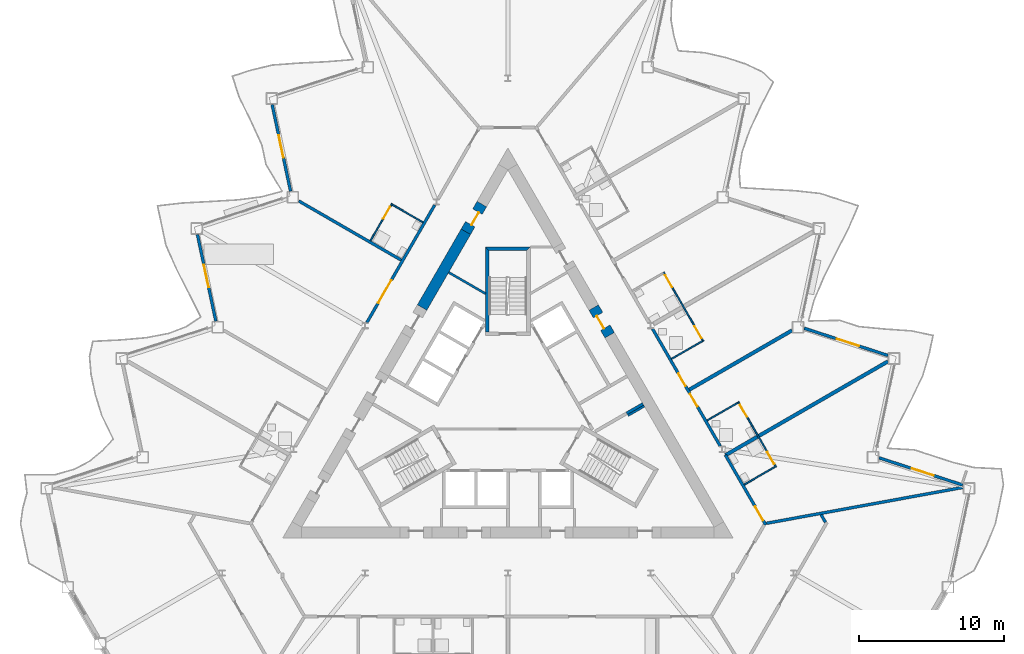
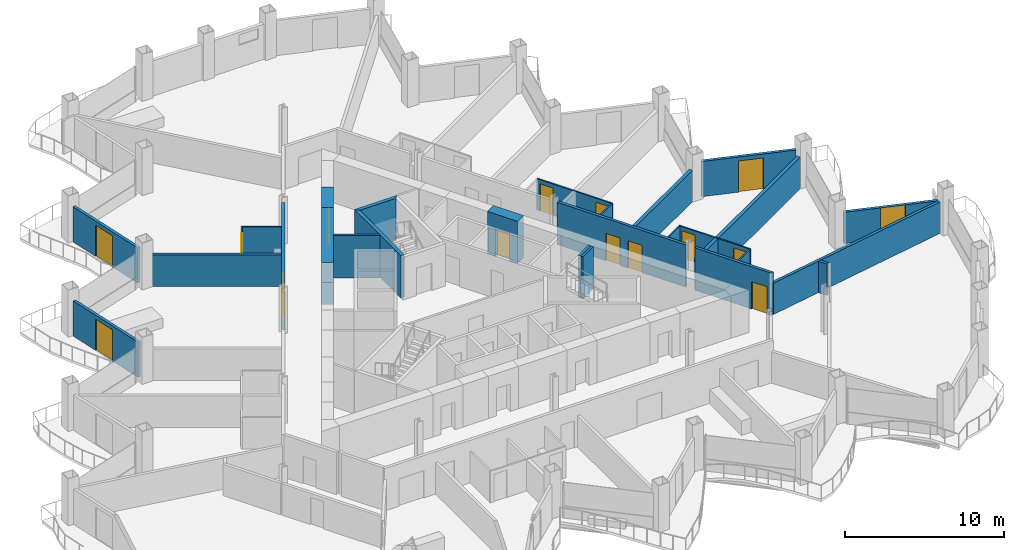
# One storey, part 14 of 24: 27 walls, 15 doors, 15 openings.
"""IFC4 building model written with IfcOpenShell, lengths in metres."""

from ifc_helpers import new_model, si_unit, direction, frame, frame_2d, origin, place, context, subcontext, project, spatial, polyline, rectangle, outline, extrude, material, layer, layer_set, type_object, element, fill, save


model = new_model("IFC4")

# Units and contexts
model_context = context("Model", 3, precision=1e-05, world=origin(), true_north=direction((0.0, 1.0)))
body_context = subcontext(model_context, "Body", "Model", "MODEL_VIEW")
ifc_project = project(units=[si_unit("LENGTHUNIT", "METRE"), si_unit("AREAUNIT", "SQUARE_METRE"), si_unit("VOLUMEUNIT", "CUBIC_METRE"), si_unit("PLANEANGLEUNIT", "RADIAN"), si_unit("MASSUNIT", "GRAM", prefix="KILO")], contexts=[model_context])

# Site, building, storey
site_placement = place(None, origin())
site = spatial("IfcSite", under=ifc_project, at=site_placement, CompositionType="ELEMENT")
building_placement = place(site_placement, origin())
building = spatial("IfcBuilding", under=site, at=building_placement, Name="Cormorant Prow Tower", CompositionType="ELEMENT")
storey_placement = place(building_placement, frame((0.0, 0.0, 205.199951171875)))
storey = spatial("IfcBuildingStorey", under=building, at=storey_placement, Name="L45", CompositionType="ELEMENT", Elevation=205.199951171875)

# Walls
ifc_material_1 = material(Name="Gypsum board partition")
ifc_layer_1 = layer(ifc_material_1, 0.14990234375)
ifc_layer_set_1 = layer_set([ifc_layer_1], Name="Gypsum board partition")
wall_type_1 = type_object("IfcWallType", Name="Core partition 150", PredefinedType="PARTITIONING", material=ifc_layer_set_1)
wall_1_placement = place(storey_placement, frame((8.268310546875, -0.509033203125, 0.0), z_axis=(0.0, 0.0, 1.0), x_axis=(0.866003189247, 0.500038474733, 0.0)))
element("IfcWall", 1, at=wall_1_placement, inside=storey, type_object=wall_type_1, Name="Service room partition", PredefinedType="PARTITIONING", context=body_context, shape_type="SweptSolid", body=[
    extrude(rectangle(XDim=1.29296875, YDim=0.14990234375, at=frame_2d((0.646484375, 0.0))), origin(), (0.0, 0.0, 1.0), 3.25),
])
wall_2_placement = place(storey_placement, frame((-4.0751953125, 9.33935546875, 0.0), z_axis=(0.0, 0.0, 1.0), x_axis=(0.865995658863, -0.500051516177, 0.0)))
element("IfcWall", 2, at=wall_2_placement, inside=storey, type_object=wall_type_1, Name="Service room partition", PredefinedType="PARTITIONING", context=body_context, shape_type="SweptSolid", body=[
    extrude(rectangle(XDim=2.932861328125, YDim=0.14990234375, at=frame_2d((1.46630859375, 0.0))), origin(), (0.0, 0.0, 1.0), 3.25),
])
ifc_material_2 = material(Name="Concrete 8000 psi", Category="concrete")
ifc_layer_2 = layer(ifc_material_2, 0.75)
ifc_layer_set_2 = layer_set([ifc_layer_2], Name="Concrete 8000 psi")
wall_type_2 = type_object("IfcWallType", Name="Core shear wall 750", PredefinedType="SHEAR", material=ifc_layer_set_2)
wall_3_placement = place(storey_placement, frame((-2.8935546875, 12.135986328125, 0.0), z_axis=(0.0, 0.0, 1.0), x_axis=(-0.500021737671, -0.866012853171, 0.0)))
element("IfcWall", 3, at=wall_3_placement, inside=storey, type_object=wall_type_2, Name="Core wall", PredefinedType="SHEAR", context=body_context, shape_type="SweptSolid", body=[
    extrude(rectangle(XDim=6.025634765625, YDim=0.75, at=frame_2d((3.0126953125, 0.0))), origin(), (0.0, 0.0, 1.0), 3.25),
])

# Wall, opening, door
wall_4_placement = place(storey_placement, frame((7.00634765625, 5.012451171875, 0.0), z_axis=(0.0, 0.0, 1.0), x_axis=(-0.499946605688, 0.86605622881, 0.0)))
wall_4 = element("IfcWall", 4, at=wall_4_placement, inside=storey, type_object=wall_type_2, Name="Core wall door panel", PredefinedType="SHEAR", context=body_context, shape_type="SweptSolid", body=[
    extrude(rectangle(XDim=2.199951171875, YDim=0.75, at=frame_2d((1.10009765625, 0.0))), origin(), (0.0, 0.0, 1.0), 3.25),
])
opening_1_placement = place(wall_4_placement, frame((0.60009765625, 0.0, 0.0)))
opening_1 = element("IfcOpeningElement", 5, at=opening_1_placement, cuts=wall_4, Name="Opening L45-C19", PredefinedType="OPENING", context=body_context, shape_type="SweptSolid", body=[
    extrude(rectangle(XDim=1.0, YDim=2.10009765625, at=frame_2d((0.5, 1.050048828125))), frame((0.0, 0.385009765625, 0.0), z_axis=(0.0, -1.0, 0.0), x_axis=(1.0, 0.0, 0.0)), (0.0, 0.0, 1.0), 0.77001953125),
])
ifc_material_3 = material(Name="Painted steel", Category="steel")
door_type_1 = type_object("IfcDoorType", Name="Service door 1000x2100", OperationType="NOTDEFINED", PredefinedType="DOOR", material=ifc_material_3)
door_1_placement = place(opening_1_placement, origin())
door_1 = element("IfcDoor", 6, at=door_1_placement, inside=storey, type_object=door_type_1, Name="Core door, Telecom room", OperationType="SINGLE_SWING_LEFT", OverallHeight=2.10009765625, OverallWidth=1.0, PredefinedType="DOOR", context=body_context, shape_type="SweptSolid", body=[
    extrude(rectangle(XDim=1.0, YDim=2.10009765625, at=frame_2d((0.5, 1.050048828125))), frame((0.0, 0.1298828125, 0.0), z_axis=(0.0, -1.0, 0.0), x_axis=(1.0, 0.0, 0.0)), (0.0, 0.0, 1.0), 0.050048828125),
])
fill(opening_1, door_1)

wall_5_placement = place(storey_placement, frame((-1.793701171875, 14.041259765625, 0.0), z_axis=(0.0, 0.0, 1.0), x_axis=(-0.499946605688, -0.86605622881, 0.0)))
wall_5 = element("IfcWall", 7, at=wall_5_placement, inside=storey, type_object=wall_type_2, Name="Core wall door panel", PredefinedType="SHEAR", context=body_context, shape_type="SweptSolid", body=[
    extrude(rectangle(XDim=2.199951171875, YDim=0.75, at=frame_2d((1.10009765625, 0.0))), origin(), (0.0, 0.0, 1.0), 3.25),
])
opening_2_placement = place(wall_5_placement, frame((0.60009765625, 0.0, 0.0)))
opening_2 = element("IfcOpeningElement", 8, at=opening_2_placement, cuts=wall_5, Name="Opening L45-C20", PredefinedType="OPENING", context=body_context, shape_type="SweptSolid", body=[
    extrude(rectangle(XDim=1.0, YDim=2.10009765625, at=frame_2d((0.5, 1.050048828125))), frame((0.0, 0.385009765625, 0.0), z_axis=(0.0, -1.0, 0.0), x_axis=(1.0, 0.0, 0.0)), (0.0, 0.0, 1.0), 0.77001953125),
])
door_2_placement = place(opening_2_placement, origin())
door_2 = element("IfcDoor", 9, at=door_2_placement, inside=storey, type_object=door_type_1, Name="Core door, Mechanical riser room", OperationType="SINGLE_SWING_RIGHT", OverallHeight=2.10009765625, OverallWidth=1.0, PredefinedType="DOOR", context=body_context, shape_type="SweptSolid", body=[
    extrude(rectangle(XDim=1.0, YDim=2.10009765625, at=frame_2d((0.5, 1.050048828125))), frame((0.0, 0.1298828125, 0.0), z_axis=(0.0, -1.0, 0.0), x_axis=(1.0, 0.0, 0.0)), (0.0, 0.0, 1.0), 0.050048828125),
])
fill(opening_2, door_2)

ifc_material_4 = material(Name="Gypsum board corridor wall")
ifc_layer_3 = layer(ifc_material_4, 0.199951171875)
ifc_layer_set_3 = layer_set([ifc_layer_3], Name="Gypsum board corridor wall")
wall_type_3 = type_object("IfcWallType", Name="Corridor wall 200", PredefinedType="PARTITIONING", material=ifc_layer_set_3)
wall_6_placement = place(storey_placement, frame((-9.705078125, 5.88818359375, 0.0), z_axis=(0.0, 0.0, 1.0), x_axis=(0.50000393355, 0.866023132736, 0.0)))
wall_6 = element("IfcWall", 10, at=wall_6_placement, inside=storey, type_object=wall_type_3, Name="Corridor wall", PredefinedType="PARTITIONING", context=body_context, shape_type="SweptSolid", body=[
    extrude(rectangle(XDim=9.3349609375, YDim=0.199951171875, at=frame_2d((4.66748046875, 0.0))), origin(), (0.0, 0.0, 1.0), 3.25),
])
opening_3_placement = place(wall_6_placement, frame((1.556396484375, 0.0, 0.0)))
opening_3 = element("IfcOpeningElement", 11, at=opening_3_placement, cuts=wall_6, Name="Opening L45-F25", PredefinedType="OPENING", context=body_context, shape_type="SweptSolid", body=[
    extrude(rectangle(XDim=1.800048828125, YDim=2.10009765625, at=frame_2d((0.89990234375, 1.050048828125))), frame((0.0, 0.10986328125, 0.0), z_axis=(0.0, -1.0, 0.0), x_axis=(1.0, 0.0, 0.0)), (0.0, 0.0, 1.0), 0.219970703125),
])
ifc_material_5 = material(Name="Timber door leaf", Category="wood")
door_type_2 = type_object("IfcDoorType", Name="Double door 1800x2100", OperationType="DOUBLE_DOOR_SINGLE_SWING", PredefinedType="DOOR", material=ifc_material_5)
door_3_placement = place(opening_3_placement, origin())
door_3 = element("IfcDoor", 12, at=door_3_placement, inside=storey, type_object=door_type_2, Name="Library door", OperationType="DOUBLE_DOOR_SINGLE_SWING", OverallHeight=2.10009765625, OverallWidth=1.800048828125, PredefinedType="DOOR", context=body_context, shape_type="SweptSolid", body=[
    extrude(rectangle(XDim=1.800048828125, YDim=2.10009765625, at=frame_2d((0.89990234375, 1.050048828125))), frame((0.0, 0.02490234375, 0.0), z_axis=(0.0, -1.0, 0.0), x_axis=(1.0, 0.0, 0.0)), (0.0, 0.0, 1.0), 0.050048828125),
])
fill(opening_3, door_3)

# Wall, openings, doors
wall_7_placement = place(storey_placement, frame((9.951904296875, 5.460693359375, 0.0), z_axis=(0.0, 0.0, 1.0), x_axis=(0.50000393355, -0.866023132736, 0.0)))
wall_7 = element("IfcWall", 13, at=wall_7_placement, inside=storey, type_object=wall_type_3, Name="Corridor wall", PredefinedType="PARTITIONING", context=body_context, shape_type="SweptSolid", body=[
    extrude(rectangle(XDim=9.3349609375, YDim=0.199951171875, at=frame_2d((4.66748046875, 0.0))), origin(), (0.0, 0.0, 1.0), 3.25),
])
opening_4_placement = place(wall_7_placement, frame((5.171875, 0.0, 0.0)))
opening_4 = element("IfcOpeningElement", 14, at=opening_4_placement, cuts=wall_7, Name="Opening L45-F12", PredefinedType="OPENING", context=body_context, shape_type="SweptSolid", body=[
    extrude(rectangle(XDim=1.0, YDim=2.10009765625, at=frame_2d((0.5, 1.050048828125))), frame((0.0, 0.10986328125, 0.0), z_axis=(0.0, -1.0, 0.0), x_axis=(1.0, 0.0, 0.0)), (0.0, 0.0, 1.0), 0.219970703125),
])
opening_5_placement = place(wall_7_placement, frame((3.564697265625, 0.0, 0.0)))
opening_5 = element("IfcOpeningElement", 15, at=opening_5_placement, cuts=wall_7, Name="Opening L45-F14", PredefinedType="OPENING", context=body_context, shape_type="SweptSolid", body=[
    extrude(rectangle(XDim=1.0, YDim=2.10009765625, at=frame_2d((0.5, 1.050048828125))), frame((0.0, 0.10986328125, 0.0), z_axis=(0.0, -1.0, 0.0), x_axis=(1.0, 0.0, 0.0)), (0.0, 0.0, 1.0), 0.219970703125),
])
ifc_material_6 = material(Name="Timber door leaf", Category="wood")
door_type_3 = type_object("IfcDoorType", Name="Flat or room entrance door 1000x2100", OperationType="NOTDEFINED", PredefinedType="DOOR", material=ifc_material_6)
door_4_placement = place(opening_4_placement, origin())
door_4 = element("IfcDoor", 16, at=door_4_placement, inside=storey, type_object=door_type_3, Name="Guest room door", OperationType="SINGLE_SWING_LEFT", OverallHeight=2.10009765625, OverallWidth=1.0, PredefinedType="DOOR", context=body_context, shape_type="SweptSolid", body=[
    extrude(rectangle(XDim=1.0, YDim=2.10009765625, at=frame_2d((0.5, 1.050048828125))), frame((0.0, 0.02490234375, 0.0), z_axis=(0.0, -1.0, 0.0), x_axis=(1.0, 0.0, 0.0)), (0.0, 0.0, 1.0), 0.050048828125),
])
fill(opening_4, door_4)
door_5_placement = place(opening_5_placement, origin())
door_5 = element("IfcDoor", 17, at=door_5_placement, inside=storey, type_object=door_type_3, Name="Guest room door", OperationType="SINGLE_SWING_RIGHT", OverallHeight=2.10009765625, OverallWidth=1.0, PredefinedType="DOOR", context=body_context, shape_type="SweptSolid", body=[
    extrude(rectangle(XDim=1.0, YDim=2.10009765625, at=frame_2d((0.5, 1.050048828125))), frame((0.0, 0.02490234375, 0.0), z_axis=(0.0, -1.0, 0.0), x_axis=(1.0, 0.0, 0.0)), (0.0, 0.0, 1.0), 0.050048828125),
])
fill(opening_5, door_5)

# Wall, opening, door
wall_8_placement = place(storey_placement, frame((14.971435546875, -3.2333984375, 0.0), z_axis=(0.0, 0.0, 1.0), x_axis=(0.500003221507, -0.866023543838, 0.0)))
wall_8 = element("IfcWall", 18, at=wall_8_placement, inside=storey, type_object=wall_type_3, Name="Corridor wall", PredefinedType="PARTITIONING", context=body_context, shape_type="SweptSolid", body=[
    extrude(rectangle(XDim=5.544921875, YDim=0.199951171875, at=frame_2d((2.7724609375, 0.0))), origin(), (0.0, 0.0, 1.0), 3.25),
])
opening_6_placement = place(wall_8_placement, frame((4.09375, 0.0, 0.0)))
opening_6 = element("IfcOpeningElement", 19, at=opening_6_placement, cuts=wall_8, Name="Opening L45-F10", PredefinedType="OPENING", context=body_context, shape_type="SweptSolid", body=[
    extrude(rectangle(XDim=1.10009765625, YDim=2.10009765625, at=frame_2d((0.550048828125, 1.050048828125))), frame((0.0, 0.10986328125, 0.0), z_axis=(0.0, -1.0, 0.0), x_axis=(1.0, 0.0, 0.0)), (0.0, 0.0, 1.0), 0.219970703125),
])
ifc_material_7 = material(Name="Timber door leaf", Category="wood")
door_type_4 = type_object("IfcDoorType", Name="Suite entrance door 1100x2100", OperationType="NOTDEFINED", PredefinedType="DOOR", material=ifc_material_7)
door_6_placement = place(opening_6_placement, origin())
door_6 = element("IfcDoor", 20, at=door_6_placement, inside=storey, type_object=door_type_4, Name="Junior suite door", OperationType="SINGLE_SWING_RIGHT", OverallHeight=2.10009765625, OverallWidth=1.10009765625, PredefinedType="DOOR", context=body_context, shape_type="SweptSolid", body=[
    extrude(rectangle(XDim=1.10009765625, YDim=2.10009765625, at=frame_2d((0.550048828125, 1.050048828125))), frame((0.0, 0.02490234375, 0.0), z_axis=(0.0, -1.0, 0.0), x_axis=(1.0, 0.0, 0.0)), (0.0, 0.0, 1.0), 0.050048828125),
])
fill(opening_6, door_6)

# Walls
ifc_material_8 = material(Name="Gypsum board demising wall")
ifc_layer_4 = layer(ifc_material_8, 0.199951171875)
ifc_layer_set_4 = layer_set([ifc_layer_4], Name="Gypsum board demising wall")
wall_type_4 = type_object("IfcWallType", Name="Demising wall 200", PredefinedType="PARTITIONING", material=ifc_layer_set_4)
wall_9_placement = place(storey_placement, frame((17.792236328125, -7.930908203125, 0.0), z_axis=(0.0, 0.0, 1.0), x_axis=(0.983720538919, 0.179705039744, 0.0)))
element("IfcWall", 21, at=wall_9_placement, inside=storey, type_object=wall_type_4, Name="Demising wall", PredefinedType="PARTITIONING", context=body_context, shape_type="SweptSolid", body=[
    extrude(rectangle(XDim=13.760986328125, YDim=0.199951171875, at=frame_2d((6.88037109375, 0.0))), origin(), (0.0, 0.0, 1.0), 2.404296875),
])
wall_10_placement = place(storey_placement, frame((-14.389892578125, 14.25244140625, 0.0), z_axis=(0.0, 0.0, 1.0), x_axis=(0.866028741424, -0.499994218994, 0.0)))
element("IfcWall", 22, at=wall_10_placement, inside=storey, type_object=wall_type_4, Name="Demising wall", PredefinedType="PARTITIONING", context=body_context, shape_type="SweptSolid", body=[
    extrude(rectangle(XDim=8.13916015625, YDim=0.199951171875, at=frame_2d((4.069580078125, 0.0))), origin(), (0.0, 0.0, 1.0), 2.404296875),
])
wall_11_placement = place(storey_placement, frame((21.556396484375, -7.339111328125, 0.0), z_axis=(0.0, 0.0, 1.0), x_axis=(0.50022374246, -0.865896187473, 0.0)))
element("IfcWall", 23, at=wall_11_placement, inside=storey, type_object=wall_type_4, Name="Demising wall", PredefinedType="PARTITIONING", context=body_context, shape_type="SweptSolid", body=[
    extrude(rectangle(XDim=0.604248046875, YDim=0.199951171875, at=frame_2d((0.30224609375, 0.0))), origin(), (0.0, 0.0, 1.0), 2.404296875),
])

# Wall, openings, doors
ifc_material_9 = material(Name="Gypsum board partition")
ifc_layer_5 = layer(ifc_material_9, 0.10009765625)
ifc_layer_set_5 = layer_set([ifc_layer_5], Name="Gypsum board partition")
wall_type_5 = type_object("IfcWallType", Name="Internal partition 100", PredefinedType="PARTITIONING", material=ifc_layer_set_5)
wall_12_placement = place(storey_placement, frame((10.705078125, 9.35595703125, 0.0), z_axis=(0.0, 0.0, 1.0), x_axis=(0.500015767406, -0.866016300277, 0.0)))
wall_12 = element("IfcWall", 24, at=wall_12_placement, inside=storey, type_object=wall_type_5, Name="Internal partition", PredefinedType="PARTITIONING", context=body_context, shape_type="SweptSolid", body=[
    extrude(rectangle(XDim=5.499755859375, YDim=0.10009765625, at=frame_2d((2.75, 0.0))), origin(), (0.0, 0.0, 1.0), 2.404296875),
])
opening_7_placement = place(wall_12_placement, frame((4.300048828125, 0.0, 0.0)))
opening_7 = element("IfcOpeningElement", 25, at=opening_7_placement, cuts=wall_12, Name="Opening L45-F15", PredefinedType="OPENING", context=body_context, shape_type="SweptSolid", body=[
    extrude(rectangle(XDim=0.949951171875, YDim=2.10009765625, at=frame_2d((0.47509765625, 1.050048828125))), frame((0.0, 0.06005859375, 0.0), z_axis=(0.0, -1.0, 0.0), x_axis=(1.0, 0.0, 0.0)), (0.0, 0.0, 1.0), 0.1201171875),
])
opening_8_placement = place(wall_12_placement, frame((0.25, 0.0, 0.0)))
opening_8 = element("IfcOpeningElement", 26, at=opening_8_placement, cuts=wall_12, Name="Opening L45-F17", PredefinedType="OPENING", context=body_context, shape_type="SweptSolid", body=[
    extrude(rectangle(XDim=0.949951171875, YDim=2.10009765625, at=frame_2d((0.47509765625, 1.050048828125))), frame((0.0, 0.06005859375, 0.0), z_axis=(0.0, -1.0, 0.0), x_axis=(1.0, 0.0, 0.0)), (0.0, 0.0, 1.0), 0.1201171875),
])
ifc_material_10 = material(Name="Timber door leaf", Category="wood")
door_type_5 = type_object("IfcDoorType", Name="Bathroom door 950x2100", OperationType="NOTDEFINED", PredefinedType="DOOR", material=ifc_material_10)
door_7_placement = place(opening_7_placement, origin())
door_7 = element("IfcDoor", 27, at=door_7_placement, inside=storey, type_object=door_type_5, Name="Guest room door", OperationType="SINGLE_SWING_RIGHT", OverallHeight=2.10009765625, OverallWidth=0.949951171875, PredefinedType="DOOR", context=body_context, shape_type="SweptSolid", body=[
    extrude(rectangle(XDim=0.949951171875, YDim=2.10009765625, at=frame_2d((0.47509765625, 1.050048828125))), frame((0.0, 0.02490234375, 0.0), z_axis=(0.0, -1.0, 0.0), x_axis=(1.0, 0.0, 0.0)), (0.0, 0.0, 1.0), 0.050048828125),
])
fill(opening_7, door_7)
door_8_placement = place(opening_8_placement, origin())
door_8 = element("IfcDoor", 28, at=door_8_placement, inside=storey, type_object=door_type_5, Name="Guest room door", OperationType="SINGLE_SWING_LEFT", OverallHeight=2.10009765625, OverallWidth=0.949951171875, PredefinedType="DOOR", context=body_context, shape_type="SweptSolid", body=[
    extrude(rectangle(XDim=0.949951171875, YDim=2.10009765625, at=frame_2d((0.47509765625, 1.050048828125))), frame((0.0, 0.02490234375, 0.0), z_axis=(0.0, -1.0, 0.0), x_axis=(1.0, 0.0, 0.0)), (0.0, 0.0, 1.0), 0.050048828125),
])
fill(opening_8, door_8)

wall_13_placement = place(storey_placement, frame((15.853271484375, 0.439453125, 0.0), z_axis=(0.0, 0.0, 1.0), x_axis=(0.499971721724, -0.866041729639, 0.0)))
wall_13 = element("IfcWall", 29, at=wall_13_placement, inside=storey, type_object=wall_type_5, Name="Internal partition", PredefinedType="PARTITIONING", context=body_context, shape_type="SweptSolid", body=[
    extrude(rectangle(XDim=5.199951171875, YDim=0.10009765625, at=frame_2d((2.60009765625, 0.0))), origin(), (0.0, 0.0, 1.0), 2.404296875),
])
opening_9_placement = place(wall_13_placement, frame((4.0, 0.0, 0.0)))
opening_9 = element("IfcOpeningElement", 30, at=opening_9_placement, cuts=wall_13, Name="Opening L45-F11", PredefinedType="OPENING", context=body_context, shape_type="SweptSolid", body=[
    extrude(rectangle(XDim=0.949951171875, YDim=2.10009765625, at=frame_2d((0.47509765625, 1.050048828125))), frame((0.0, 0.06005859375, 0.0), z_axis=(0.0, -1.0, 0.0), x_axis=(1.0, 0.0, 0.0)), (0.0, 0.0, 1.0), 0.1201171875),
])
opening_10_placement = place(wall_13_placement, frame((0.25, 0.0, 0.0)))
opening_10 = element("IfcOpeningElement", 31, at=opening_10_placement, cuts=wall_13, Name="Opening L45-F13", PredefinedType="OPENING", context=body_context, shape_type="SweptSolid", body=[
    extrude(rectangle(XDim=0.949951171875, YDim=2.10009765625, at=frame_2d((0.47509765625, 1.050048828125))), frame((0.0, 0.06005859375, 0.0), z_axis=(0.0, -1.0, 0.0), x_axis=(1.0, 0.0, 0.0)), (0.0, 0.0, 1.0), 0.1201171875),
])
door_9_placement = place(opening_9_placement, origin())
door_9 = element("IfcDoor", 32, at=door_9_placement, inside=storey, type_object=door_type_5, Name="Junior suite door", OperationType="SINGLE_SWING_RIGHT", OverallHeight=2.10009765625, OverallWidth=0.949951171875, PredefinedType="DOOR", context=body_context, shape_type="SweptSolid", body=[
    extrude(rectangle(XDim=0.949951171875, YDim=2.10009765625, at=frame_2d((0.47509765625, 1.050048828125))), frame((0.0, 0.02490234375, 0.0), z_axis=(0.0, -1.0, 0.0), x_axis=(1.0, 0.0, 0.0)), (0.0, 0.0, 1.0), 0.050048828125),
])
fill(opening_9, door_9)
door_10_placement = place(opening_10_placement, origin())
door_10 = element("IfcDoor", 33, at=door_10_placement, inside=storey, type_object=door_type_5, Name="Guest room door", OperationType="SINGLE_SWING_LEFT", OverallHeight=2.10009765625, OverallWidth=0.949951171875, PredefinedType="DOOR", context=body_context, shape_type="SweptSolid", body=[
    extrude(rectangle(XDim=0.949951171875, YDim=2.10009765625, at=frame_2d((0.47509765625, 1.050048828125))), frame((0.0, 0.02490234375, 0.0), z_axis=(0.0, -1.0, 0.0), x_axis=(1.0, 0.0, 0.0)), (0.0, 0.0, 1.0), 0.050048828125),
])
fill(opening_10, door_10)

# Wall, opening, door
wall_14_placement = place(storey_placement, frame((-9.4560546875, 11.519287109375, 0.0), z_axis=(0.0, 0.0, 1.0), x_axis=(0.499939757307, 0.866060182126, 0.0)))
wall_14 = element("IfcWall", 34, at=wall_14_placement, inside=storey, type_object=wall_type_5, Name="Internal partition", PredefinedType="PARTITIONING", context=body_context, shape_type="SweptSolid", body=[
    extrude(rectangle(XDim=2.949951171875, YDim=0.10009765625, at=frame_2d((1.47509765625, 0.0))), origin(), (0.0, 0.0, 1.0), 2.404296875),
])
opening_11_placement = place(wall_14_placement, frame((1.75, 0.0, 0.0)))
opening_11 = element("IfcOpeningElement", 35, at=opening_11_placement, cuts=wall_14, Name="Opening L45-F24", PredefinedType="OPENING", context=body_context, shape_type="SweptSolid", body=[
    extrude(rectangle(XDim=0.949951171875, YDim=2.10009765625, at=frame_2d((0.47509765625, 1.050048828125))), frame((0.0, 0.06005859375, 0.0), z_axis=(0.0, -1.0, 0.0), x_axis=(1.0, 0.0, 0.0)), (0.0, 0.0, 1.0), 0.1201171875),
])
door_11_placement = place(opening_11_placement, origin())
door_11 = element("IfcDoor", 36, at=door_11_placement, inside=storey, type_object=door_type_5, Name="Executive suite bedroom door", OperationType="SINGLE_SWING_RIGHT", OverallHeight=2.10009765625, OverallWidth=0.949951171875, PredefinedType="DOOR", context=body_context, shape_type="SweptSolid", body=[
    extrude(rectangle(XDim=0.949951171875, YDim=2.10009765625, at=frame_2d((0.47509765625, 1.050048828125))), frame((0.0, 0.02490234375, 0.0), z_axis=(0.0, -1.0, 0.0), x_axis=(1.0, 0.0, 0.0)), (0.0, 0.0, 1.0), 0.050048828125),
])
fill(opening_11, door_11)

# Walls
wall_15_placement = place(storey_placement, frame((-7.962890625, 14.005859375, 0.0), z_axis=(0.0, 0.0, 1.0), x_axis=(0.866057815567, -0.499943856944, 0.0)))
element("IfcWall", 37, at=wall_15_placement, inside=storey, type_object=wall_type_5, Name="Internal partition", PredefinedType="PARTITIONING", context=body_context, shape_type="SweptSolid", body=[
    extrude(rectangle(XDim=2.449951171875, YDim=0.10009765625, at=frame_2d((1.22509765625, 0.0))), origin(), (0.0, 0.0, 1.0), 2.404296875),
])
wall_16_placement = place(storey_placement, frame((13.713134765625, -0.85400390625, 0.0), z_axis=(0.0, 0.0, 1.0), x_axis=(0.866014668023, 0.500018594424, 0.0)))
element("IfcWall", 38, at=wall_16_placement, inside=storey, type_object=wall_type_5, Name="Internal partition", PredefinedType="PARTITIONING", context=body_context, shape_type="SweptSolid", body=[
    extrude(rectangle(XDim=2.4501953125, YDim=0.10009765625, at=frame_2d((1.22509765625, 0.0))), origin(), (0.0, 0.0, 1.0), 2.404296875),
])
wall_17_placement = place(storey_placement, frame((16.26318359375, -5.2705078125, 0.0), z_axis=(0.0, 0.0, 1.0), x_axis=(0.866057815567, 0.499943856944, 0.0)))
element("IfcWall", 39, at=wall_17_placement, inside=storey, type_object=wall_type_5, Name="Internal partition", PredefinedType="PARTITIONING", context=body_context, shape_type="SweptSolid", body=[
    extrude(rectangle(XDim=2.449951171875, YDim=0.10009765625, at=frame_2d((1.22509765625, 0.0))), origin(), (0.0, 0.0, 1.0), 2.404296875),
])
wall_18_placement = place(storey_placement, frame((11.26513671875, 3.38623046875, 0.0), z_axis=(0.0, 0.0, 1.0), x_axis=(0.866032905446, 0.499987006516, 0.0)))
element("IfcWall", 40, at=wall_18_placement, inside=storey, type_object=wall_type_5, Name="Internal partition", PredefinedType="PARTITIONING", context=body_context, shape_type="SweptSolid", body=[
    extrude(rectangle(XDim=2.44970703125, YDim=0.10009765625, at=frame_2d((1.224853515625, 0.0))), origin(), (0.0, 0.0, 1.0), 2.404296875),
])
ifc_material_11 = material(Name="Concrete 8000 psi", Category="concrete")
ifc_layer_6 = layer(ifc_material_11, 0.199951171875)
ifc_layer_set_6 = layer_set([ifc_layer_6], Name="Concrete 8000 psi")
wall_type_6 = type_object("IfcWallType", Name="Lift shaft wall 200", PredefinedType="SHEAR", material=ifc_layer_set_6)
wall_19_placement = place(storey_placement, frame((8.180908203125, -0.357421875, 0.0), z_axis=(0.0, 0.0, 1.0), x_axis=(0.866003189247, 0.500038474733, 0.0)))
element("IfcWall", 41, at=wall_19_placement, inside=storey, type_object=wall_type_6, Name="Store side wall", PredefinedType="SHEAR", context=body_context, shape_type="SweptSolid", body=[
    extrude(rectangle(XDim=1.29296875, YDim=0.199951171875, at=frame_2d((0.646484375, 0.0))), origin(), (0.0, 0.0, 1.0), 3.25),
])
ifc_material_12 = material(Name="Concrete 8000 psi", Category="concrete")
ifc_layer_7 = layer(ifc_material_12, 0.25)
ifc_layer_set_7 = layer_set([ifc_layer_7], Name="Concrete 8000 psi")
wall_type_7 = type_object("IfcWallType", Name="Stair wall 250", PredefinedType="SHEAR", material=ifc_layer_set_7)
wall_20_placement = place(storey_placement, origin())
element("IfcWall", 42, at=wall_20_placement, inside=storey, type_object=wall_type_7, Name="Stair ST3 enclosure wall (end)", PredefinedType="SHEAR", context=body_context, shape_type="SweptSolid", body=[
    extrude(outline(polyline([(1.5439453125, 11.0869140625), (-1.5439453125, 11.0869140625), (-1.2939453125, 10.8369140625), (1.2939453125, 10.8369140625), (1.5439453125, 11.0869140625)])), origin(), (0.0, 0.0, 1.0), 3.25),
])
wall_21_placement = place(storey_placement, origin())
element("IfcWall", 43, at=wall_21_placement, inside=storey, type_object=wall_type_7, Name="Stair ST3 enclosure wall (flank)", PredefinedType="SHEAR", context=body_context, shape_type="SweptSolid", body=[
    extrude(outline(polyline([(-1.2939453125, 10.8369140625), (-1.5439453125, 11.0869140625), (-1.5439453125, 5.23681640625), (-1.2939453125, 5.23681640625), (-1.2939453125, 10.8369140625)])), origin(), (0.0, 0.0, 1.0), 3.25),
])
ifc_material_13 = material(Name="Acoustic gypsum party wall")
ifc_layer_8 = layer(ifc_material_13, 0.25)
ifc_layer_set_8 = layer_set([ifc_layer_8], Name="Acoustic gypsum party wall")
wall_type_8 = type_object("IfcWallType", Name="Suite party wall 250", PredefinedType="PARTITIONING", material=ifc_layer_set_8)
wall_22_placement = place(storey_placement, frame((14.9765625, -3.2421875, 0.0), z_axis=(0.0, 0.0, 1.0), x_axis=(0.866026026416, 0.499998921569, 0.0)))
element("IfcWall", 44, at=wall_22_placement, inside=storey, type_object=wall_type_8, Name="Suite party wall", PredefinedType="PARTITIONING", context=body_context, shape_type="SweptSolid", body=[
    extrude(rectangle(XDim=12.91845703125, YDim=0.25, at=frame_2d((6.459228515625, 0.0))), origin(), (0.0, 0.0, 1.0), 2.404296875),
])
wall_23_placement = place(storey_placement, frame((12.489013671875, 1.26611328125, 0.0), z_axis=(0.0, 0.0, 1.0), x_axis=(0.866026623601, 0.49999788721, 0.0)))
element("IfcWall", 45, at=wall_23_placement, inside=storey, type_object=wall_type_8, Name="Suite party wall", PredefinedType="PARTITIONING", context=body_context, shape_type="SweptSolid", body=[
    extrude(rectangle(XDim=8.15869140625, YDim=0.25, at=frame_2d((4.079345703125, 0.0))), origin(), (0.0, 0.0, 1.0), 2.404296875),
])

# Wall, opening, door
ifc_material_14 = material(Name="Terracotta", Category="masonry")
ifc_layer_9 = layer(ifc_material_14, 0.199951171875)
ifc_layer_set_9 = layer_set([ifc_layer_9], Name="Terracotta")
wall_type_9 = type_object("IfcWallType", Name="Terracotta jamb wall 200", PredefinedType="SOLIDWALL", material=ifc_layer_set_9)
wall_24_placement = place(storey_placement, frame((31.30224609375, -5.295166015625, 0.0), z_axis=(0.0, 0.0, 1.0), x_axis=(-0.951059297078, 0.309008435874, 0.0)))
wall_24 = element("IfcWall", 46, at=wall_24_placement, inside=storey, type_object=wall_type_9, Name="Terracotta jamb wall ENE01", PredefinedType="SOLIDWALL", context=body_context, shape_type="SweptSolid", body=[
    extrude(rectangle(XDim=6.044189453125, YDim=0.199951171875, at=frame_2d((3.02197265625, 0.0))), origin(), (0.0, 0.0, 1.0), 2.404296875),
])
opening_12_placement = place(wall_24_placement, frame((2.095703125, 0.0, 0.0)))
opening_12 = element("IfcOpeningElement", 47, at=opening_12_placement, cuts=wall_24, Name="Opening ED45.06", PredefinedType="OPENING", context=body_context, shape_type="SweptSolid", body=[
    extrude(rectangle(XDim=1.60009765625, YDim=2.39990234375, at=frame_2d((0.800048828125, 1.199951171875))), frame((0.0, 0.10986328125, 0.0), z_axis=(0.0, -1.0, 0.0), x_axis=(1.0, 0.0, 0.0)), (0.0, 0.0, 1.0), 0.219970703125),
])
ifc_material_15 = material(Name="Aluminium 6063-T6", Category="aluminium")
door_type_6 = type_object("IfcDoorType", Name="Balcony door 1600x2400", OperationType="DOUBLE_DOOR_SINGLE_SWING", PredefinedType="DOOR", material=ifc_material_15)
door_12_placement = place(opening_12_placement, origin())
door_12 = element("IfcDoor", 48, at=door_12_placement, inside=storey, type_object=door_type_6, Name="Balcony door ENE01 ED45.06", OperationType="DOUBLE_DOOR_SINGLE_SWING", OverallHeight=2.39990234375, OverallWidth=1.60009765625, PredefinedType="DOOR", context=body_context, shape_type="SweptSolid", body=[
    extrude(rectangle(XDim=1.60009765625, YDim=2.39990234375, at=frame_2d((0.800048828125, 1.199951171875))), frame((0.0, 0.02490234375, 0.0), z_axis=(0.0, -1.0, 0.0), x_axis=(1.0, 0.0, 0.0)), (0.0, 0.0, 1.0), 0.050048828125),
])
fill(opening_12, door_12)

wall_25_placement = place(storey_placement, frame((26.154296875, 3.621337890625, 0.0), z_axis=(0.0, 0.0, 1.0), x_axis=(-0.95104857086, 0.309041446839, 0.0)))
wall_25 = element("IfcWall", 49, at=wall_25_placement, inside=storey, type_object=wall_type_9, Name="Terracotta jamb wall ENE03", PredefinedType="SOLIDWALL", context=body_context, shape_type="SweptSolid", body=[
    extrude(rectangle(XDim=6.0615234375, YDim=0.199951171875, at=frame_2d((3.03076171875, 0.0))), origin(), (0.0, 0.0, 1.0), 2.700927734375),
])
opening_13_placement = place(wall_25_placement, frame((2.095703125, 0.0, 0.0)))
opening_13 = element("IfcOpeningElement", 50, at=opening_13_placement, cuts=wall_25, Name="Opening ED45.07", PredefinedType="OPENING", context=body_context, shape_type="SweptSolid", body=[
    extrude(rectangle(XDim=1.60009765625, YDim=2.39990234375, at=frame_2d((0.800048828125, 1.199951171875))), frame((0.0, 0.10986328125, 0.0), z_axis=(0.0, -1.0, 0.0), x_axis=(1.0, 0.0, 0.0)), (0.0, 0.0, 1.0), 0.219970703125),
])
door_13_placement = place(opening_13_placement, origin())
door_13 = element("IfcDoor", 51, at=door_13_placement, inside=storey, type_object=door_type_6, Name="Balcony door ENE03 ED45.07", OperationType="DOUBLE_DOOR_SINGLE_SWING", OverallHeight=2.39990234375, OverallWidth=1.60009765625, PredefinedType="DOOR", context=body_context, shape_type="SweptSolid", body=[
    extrude(rectangle(XDim=1.60009765625, YDim=2.39990234375, at=frame_2d((0.800048828125, 1.199951171875))), frame((0.0, 0.02490234375, 0.0), z_axis=(0.0, -1.0, 0.0), x_axis=(1.0, 0.0, 0.0)), (0.0, 0.0, 1.0), 0.050048828125),
])
fill(opening_13, door_13)

wall_26_placement = place(storey_placement, frame((-16.22412109375, 20.8896484375, 0.0), z_axis=(0.0, 0.0, 1.0), x_axis=(0.207912864597, -0.978147351238, 0.0)))
wall_26 = element("IfcWall", 52, at=wall_26_placement, inside=storey, type_object=wall_type_9, Name="Terracotta jamb wall WNW03", PredefinedType="SOLIDWALL", context=body_context, shape_type="SweptSolid", body=[
    extrude(rectangle(XDim=6.097900390625, YDim=0.199951171875, at=frame_2d((3.048828125, 0.0))), origin(), (0.0, 0.0, 1.0), 2.700927734375),
])
opening_14_placement = place(wall_26_placement, frame((2.14697265625, 0.0, 0.0)))
opening_14 = element("IfcOpeningElement", 53, at=opening_14_placement, cuts=wall_26, Name="Opening ED45.12", PredefinedType="OPENING", context=body_context, shape_type="SweptSolid", body=[
    extrude(rectangle(XDim=1.60009765625, YDim=2.39990234375, at=frame_2d((0.800048828125, 1.199951171875))), frame((0.0, 0.10986328125, 0.0), z_axis=(0.0, -1.0, 0.0), x_axis=(1.0, 0.0, 0.0)), (0.0, 0.0, 1.0), 0.219970703125),
])
door_14_placement = place(opening_14_placement, origin())
door_14 = element("IfcDoor", 54, at=door_14_placement, inside=storey, type_object=door_type_6, Name="Balcony door WNW03 ED45.12", OperationType="DOUBLE_DOOR_SINGLE_SWING", OverallHeight=2.39990234375, OverallWidth=1.60009765625, PredefinedType="DOOR", context=body_context, shape_type="SweptSolid", body=[
    extrude(rectangle(XDim=1.60009765625, YDim=2.39990234375, at=frame_2d((0.800048828125, 1.199951171875))), frame((0.0, 0.02490234375, 0.0), z_axis=(0.0, -1.0, 0.0), x_axis=(1.0, 0.0, 0.0)), (0.0, 0.0, 1.0), 0.050048828125),
])
fill(opening_14, door_14)

wall_27_placement = place(storey_placement, frame((-21.365966796875, 11.944091796875, 0.0), z_axis=(0.0, 0.0, 1.0), x_axis=(0.207912864597, -0.978147351238, 0.0)))
wall_27 = element("IfcWall", 55, at=wall_27_placement, inside=storey, type_object=wall_type_9, Name="Terracotta jamb wall WNW05", PredefinedType="SOLIDWALL", context=body_context, shape_type="SweptSolid", body=[
    extrude(rectangle(XDim=6.097900390625, YDim=0.199951171875, at=frame_2d((3.048828125, 0.0))), origin(), (0.0, 0.0, 1.0), 2.700927734375),
])
opening_15_placement = place(wall_27_placement, frame((2.117431640625, 0.0, 0.0)))
opening_15 = element("IfcOpeningElement", 56, at=opening_15_placement, cuts=wall_27, Name="Opening ED45.13", PredefinedType="OPENING", context=body_context, shape_type="SweptSolid", body=[
    extrude(rectangle(XDim=1.60009765625, YDim=2.39990234375, at=frame_2d((0.800048828125, 1.199951171875))), frame((0.0, 0.10986328125, 0.0), z_axis=(0.0, -1.0, 0.0), x_axis=(1.0, 0.0, 0.0)), (0.0, 0.0, 1.0), 0.219970703125),
])
door_15_placement = place(opening_15_placement, origin())
door_15 = element("IfcDoor", 57, at=door_15_placement, inside=storey, type_object=door_type_6, Name="Balcony door WNW05 ED45.13", OperationType="DOUBLE_DOOR_SINGLE_SWING", OverallHeight=2.39990234375, OverallWidth=1.60009765625, PredefinedType="DOOR", context=body_context, shape_type="SweptSolid", body=[
    extrude(rectangle(XDim=1.60009765625, YDim=2.39990234375, at=frame_2d((0.800048828125, 1.199951171875))), frame((0.0, 0.02490234375, 0.0), z_axis=(0.0, -1.0, 0.0), x_axis=(1.0, 0.0, 0.0)), (0.0, 0.0, 1.0), 0.050048828125),
])
fill(opening_15, door_15)

save(model, "model.ifc")
